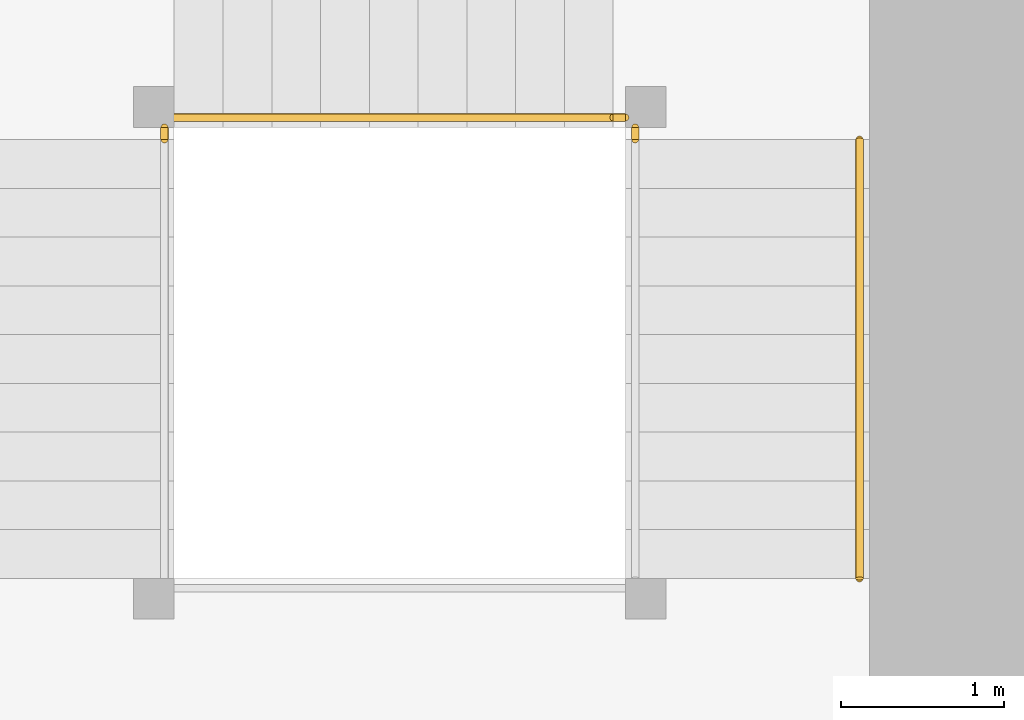
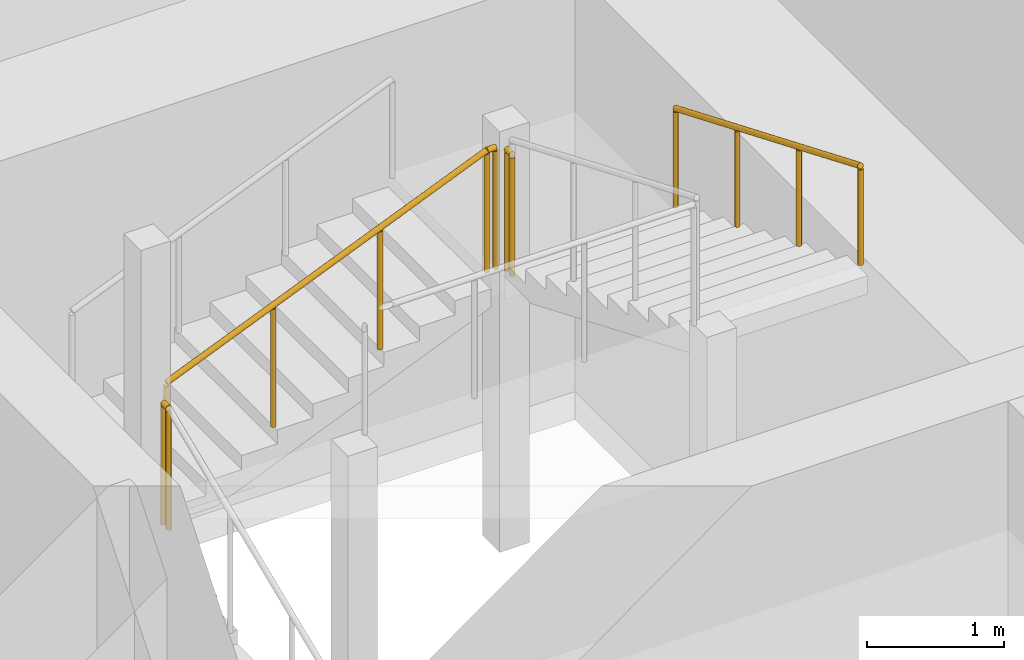
# One storey, part 45 of 46: 5 railings.
"""IFC4 building model written with IfcOpenShell, lengths in metres."""

from ifc_helpers import new_model, si_unit, direction, frame, origin, origin_2d, place, context, subcontext, project, spatial, circle, extrude, material, type_object, element, save


model = new_model("IFC4")

# Units and contexts
model_context = context("Model", 3, precision=1e-05, world=origin(), true_north=direction((0.0, 1.0)))
body_context = subcontext(model_context, "Body", "Model", "MODEL_VIEW")
ifc_project = project(units=[si_unit("LENGTHUNIT", "METRE"), si_unit("AREAUNIT", "SQUARE_METRE"), si_unit("VOLUMEUNIT", "CUBIC_METRE"), si_unit("PLANEANGLEUNIT", "RADIAN"), si_unit("MASSUNIT", "GRAM", prefix="KILO")], contexts=[model_context])

# Site, building, storey
site_placement = place(None, origin())
site = spatial("IfcSite", under=ifc_project, at=site_placement, CompositionType="ELEMENT")
building_placement = place(site_placement, origin())
building = spatial("IfcBuilding", under=site, at=building_placement, Name="Rekha Terrace Tower", CompositionType="ELEMENT")
storey_placement = place(building_placement, frame((0.0, 0.0, 29.14990234375)))
storey = spatial("IfcBuildingStorey", under=building, at=storey_placement, Name="L06", CompositionType="ELEMENT", Elevation=29.14990234375)

# Railings
ifc_material_1 = material(Name="Stainless steel balustrade", Category="steel")
railing_type_1 = type_object("IfcRailingType", Name="GR1 1100 stair guard", PredefinedType="GUARDRAIL", material=ifc_material_1)
railing_1_placement = place(storey_placement, frame((45.574951171875, 44.2099609375, 1.375)))
element("IfcRailing", 1, at=railing_1_placement, inside=storey, type_object=railing_type_1, Name="Guard ST2 L06 flight 2", PredefinedType="GUARDRAIL", context=body_context, shape_type="SweptSolid", body=[
    extrude(circle(Radius=0.02392578125, at=origin_2d()), frame((0.0, 0.0, 1.076171875), z_axis=(0.923074453586, 0.0, 0.384621311341), x_axis=(0.0, 1.0, 0.0)), (0.0, 0.0, 1.0), 2.925048828125),
    extrude(circle(Radius=0.02099609375, at=origin_2d()), origin(), (0.0, 0.0, 1.0), 1.052001953125),
    extrude(circle(Radius=0.02099609375, at=origin_2d()), frame((0.89990234375, 0.0, 0.375)), (0.0, 0.0, 1.0), 1.052001953125),
    extrude(circle(Radius=0.02099609375, at=origin_2d()), frame((1.800048828125, 0.0, 0.75)), (0.0, 0.0, 1.0), 1.052001953125),
    extrude(circle(Radius=0.02099609375, at=origin_2d()), frame((2.699951171875, 0.0, 1.125)), (0.0, 0.0, 1.0), 1.052001953125),
])
railing_2_placement = place(storey_placement, frame((45.514892578125, 44.074951171875, 1.25)))
element("IfcRailing", 2, at=railing_2_placement, inside=storey, type_object=railing_type_1, Name="Guard ST2 L06 landing 1", PredefinedType="GUARDRAIL", context=body_context, shape_type="SweptSolid", body=[
    extrude(circle(Radius=0.02392578125, at=origin_2d()), frame((0.0, 0.0, 1.076171875), z_axis=(0.0, 1.0, 0.0), x_axis=(-1.0, 0.0, 0.0)), (0.0, 0.0, 1.0), 0.074951171875),
    extrude(circle(Radius=0.02099609375, at=origin_2d()), origin(), (0.0, 0.0, 1.0), 1.052001953125),
    extrude(circle(Radius=0.02099609375, at=origin_2d()), frame((0.0, 0.074951171875, 0.0)), (0.0, 0.0, 1.0), 1.052001953125),
])
railing_3_placement = place(storey_placement, frame((48.27490234375, 44.2099609375, 2.5)))
element("IfcRailing", 3, at=railing_3_placement, inside=storey, type_object=railing_type_1, Name="Guard ST2 L06 landing 2", PredefinedType="GUARDRAIL", context=body_context, shape_type="SweptSolid", body=[
    extrude(circle(Radius=0.02392578125, at=origin_2d()), frame((0.0, 0.0, 1.076171875), z_axis=(1.0, 0.0, 0.0), x_axis=(0.0, 1.0, 0.0)), (0.0, 0.0, 1.0), 0.0751953125),
    extrude(circle(Radius=0.02099609375, at=origin_2d()), origin(), (0.0, 0.0, 1.0), 1.052001953125),
    extrude(circle(Radius=0.02099609375, at=origin_2d()), frame((0.0751953125, 0.0, 0.0)), (0.0, 0.0, 1.0), 1.052001953125),
])
railing_4_placement = place(storey_placement, frame((48.409912109375, 44.074951171875, 2.5)))
element("IfcRailing", 4, at=railing_4_placement, inside=storey, type_object=railing_type_1, Name="Guard ST2 L06 landing 3", PredefinedType="GUARDRAIL", context=body_context, shape_type="SweptSolid", body=[
    extrude(circle(Radius=0.02392578125, at=origin_2d()), frame((0.0, 0.0, 1.076171875), z_axis=(0.0, 1.0, 0.0), x_axis=(-1.0, 0.0, 0.0)), (0.0, 0.0, 1.0), 0.074951171875),
    extrude(circle(Radius=0.02099609375, at=origin_2d()), origin(), (0.0, 0.0, 1.0), 1.052001953125),
    extrude(circle(Radius=0.02099609375, at=origin_2d()), frame((0.0, 0.074951171875, 0.0)), (0.0, 0.0, 1.0), 1.052001953125),
])
ifc_material_2 = material(Name="Stainless steel tube", Category="steel")
railing_type_2 = type_object("IfcRailingType", Name="HR1 900 stair handrail", PredefinedType="HANDRAIL", material=ifc_material_2)
railing_5_placement = place(storey_placement, frame((49.7900390625, 44.074951171875, 2.625)))
element("IfcRailing", 5, at=railing_5_placement, inside=storey, type_object=railing_type_2, Name="Handrail ST2 L06 flight 3", PredefinedType="HANDRAIL", context=body_context, shape_type="SweptSolid", body=[
    extrude(circle(Radius=0.02392578125, at=origin_2d()), frame((0.0, 0.0, 0.8759765625), z_axis=(0.0, -0.923074453586, 0.384621311341), x_axis=(1.0, 0.0, 0.0)), (0.0, 0.0, 1.0), 2.925048828125),
    extrude(circle(Radius=0.02099609375, at=origin_2d()), origin(), (0.0, 0.0, 1.0), 0.851806640625),
    extrude(circle(Radius=0.02099609375, at=origin_2d()), frame((0.0, -0.89990234375, 0.375)), (0.0, 0.0, 1.0), 0.851806640625),
    extrude(circle(Radius=0.02099609375, at=origin_2d()), frame((0.0, -1.800048828125, 0.75)), (0.0, 0.0, 1.0), 0.851806640625),
    extrude(circle(Radius=0.02099609375, at=origin_2d()), frame((0.0, -2.699951171875, 1.125)), (0.0, 0.0, 1.0), 0.851806640625),
])

save(model, "model.ifc")
